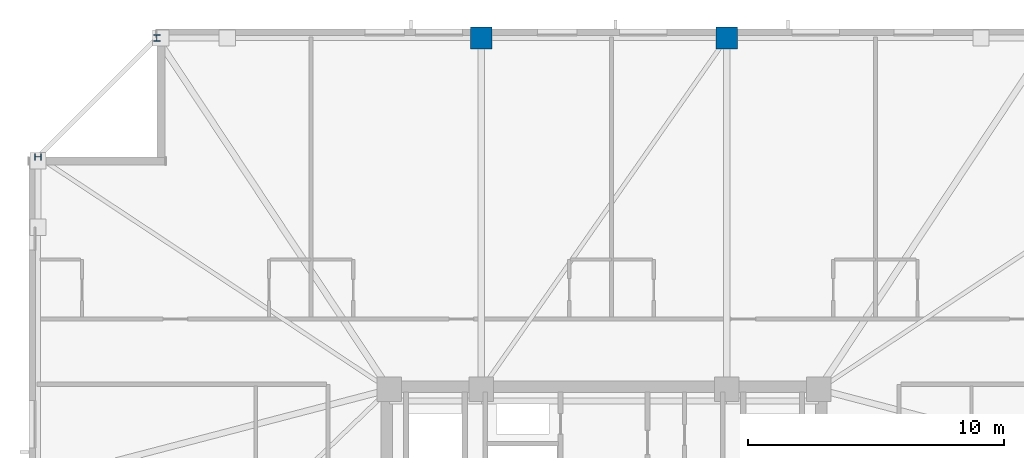
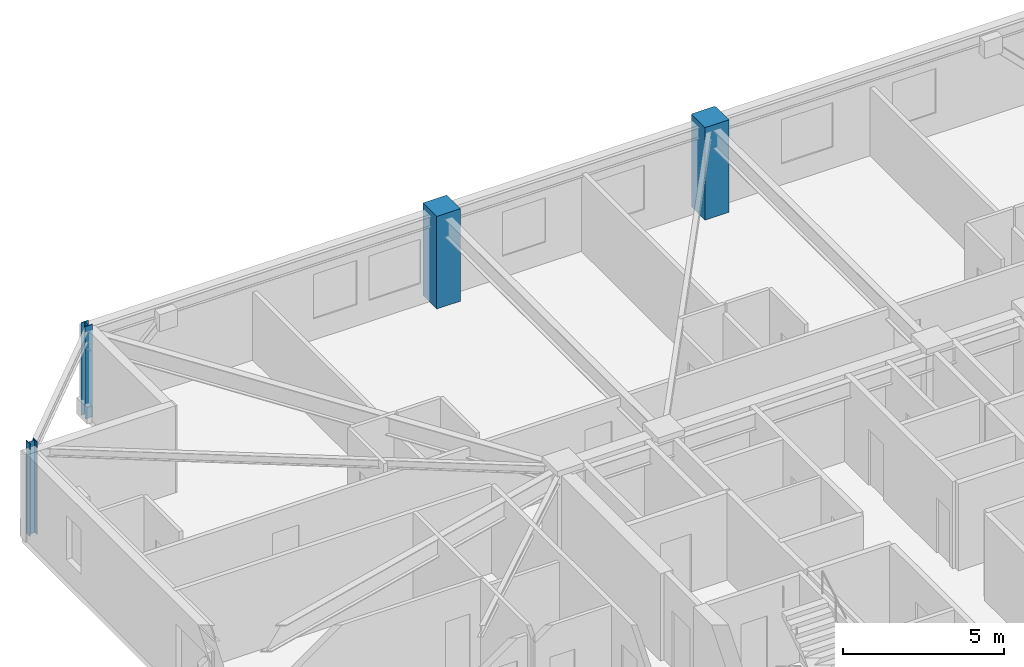
# One storey, part 4 of 17: 4 columns.
"""IFC4 building model written with IfcOpenShell, lengths in metres."""

from ifc_helpers import new_model, si_unit, direction, frame, origin, origin_2d, place, context, subcontext, project, spatial, rectangle, i_section, extrude, material, material_profile, profile_set, type_object, element, save


model = new_model("IFC4")

# Units and contexts
model_context = context("Model", 3, precision=1e-05, world=origin(), true_north=direction((0.0, 1.0)))
body_context = subcontext(model_context, "Body", "Model", "MODEL_VIEW")
ifc_project = project(units=[si_unit("LENGTHUNIT", "METRE"), si_unit("AREAUNIT", "SQUARE_METRE"), si_unit("VOLUMEUNIT", "CUBIC_METRE"), si_unit("PLANEANGLEUNIT", "RADIAN"), si_unit("MASSUNIT", "GRAM", prefix="KILO")], contexts=[model_context])

# Site, building, storey
site_placement = place(None, origin())
site = spatial("IfcSite", under=ifc_project, at=site_placement, CompositionType="ELEMENT")
building_placement = place(site_placement, origin())
building = spatial("IfcBuilding", under=site, at=building_placement, Name="Cairnveth Concourse Tower", CompositionType="ELEMENT")
storey_placement = place(building_placement, frame((0.0, 0.0, 258.5)))
storey = spatial("IfcBuildingStorey", under=building, at=storey_placement, Name="L71", CompositionType="ELEMENT", Elevation=258.5)

# Columns
ifc_material_1 = material(Name="Concrete N65 (65 MPa)", Category="concrete")
ifc_material_profile_1 = material_profile(ifc_material_1, rectangle(XDim=0.85009765625, YDim=0.85009765625, at=origin_2d()), Name="RC-COL-850x850")
ifc_profile_set_1 = profile_set([ifc_material_profile_1], Name="Concrete N65 (65 MPa)")
column_type_1 = type_object("IfcColumnType", Name="PERIMETER PIER COLUMN 850X850", PredefinedType="COLUMN", material=ifc_profile_set_1)
for number, where, z_axis, x_axis, name in (
    (1, (56.800048828125, 61.14990234375, 0.0), (0.0, 0.0, 1.0), (1.0, 0.0, 0.0), "Column P-N2 L71"),
    (2, (47.199951171875, 61.14990234375, 0.0), (0.0, 0.0, 1.0), (1.0, 0.0, 0.0), "Column P-N3 L71"),
):
    element("IfcColumn", number, at=place(storey_placement, frame(where, z_axis=z_axis, x_axis=x_axis)), inside=storey, type_object=column_type_1, Name=name, PredefinedType="COLUMN", context=body_context, shape_type="SweptSolid", body=[
        extrude(rectangle(XDim=0.85009765625, YDim=0.85009765625, at=origin_2d()), origin(), (0.0, 0.0, 1.0), 3.5),
    ])
ifc_material_2 = material(Name="Steel Grade 350", Category="steel")
ifc_material_profile_2 = material_profile(ifc_material_2, i_section(OverallWidth=0.256103515625, OverallDepth=0.260009765625, WebThickness=0.010498046875, FlangeThickness=0.017333984375, FilletRadius=0.012939453125, at=origin_2d()), Name="250UC89.5")
ifc_profile_set_2 = profile_set([ifc_material_profile_2], Name="Steel Grade 350")
column_type_2 = type_object("IfcColumnType", Name="UNIVERSAL STEEL COLUMN 250UC89.5", PredefinedType="COLUMN", material=ifc_profile_set_2)
for number, where, z_axis, x_axis, name in (
    (3, (34.5, 61.14990234375, 0.0), (0.0, 0.0, 1.0), (1.0, 0.0, 0.0), "Column P-N4 L71"),
    (4, (29.85009765625, 56.5, 0.0), (0.0, 0.0, 1.0), (0.0, 1.0, 0.0), "Column P-W1 L71"),
):
    element("IfcColumn", number, at=place(storey_placement, frame(where, z_axis=z_axis, x_axis=x_axis)), inside=storey, type_object=column_type_2, Name=name, PredefinedType="COLUMN", context=body_context, shape_type="SweptSolid", body=[
        extrude(i_section(OverallWidth=0.256103515625, OverallDepth=0.260009765625, WebThickness=0.010498046875, FlangeThickness=0.017333984375, FilletRadius=0.012939453125, at=origin_2d()), origin(), (0.0, 0.0, 1.0), 3.5),
    ])

save(model, "model.ifc")
